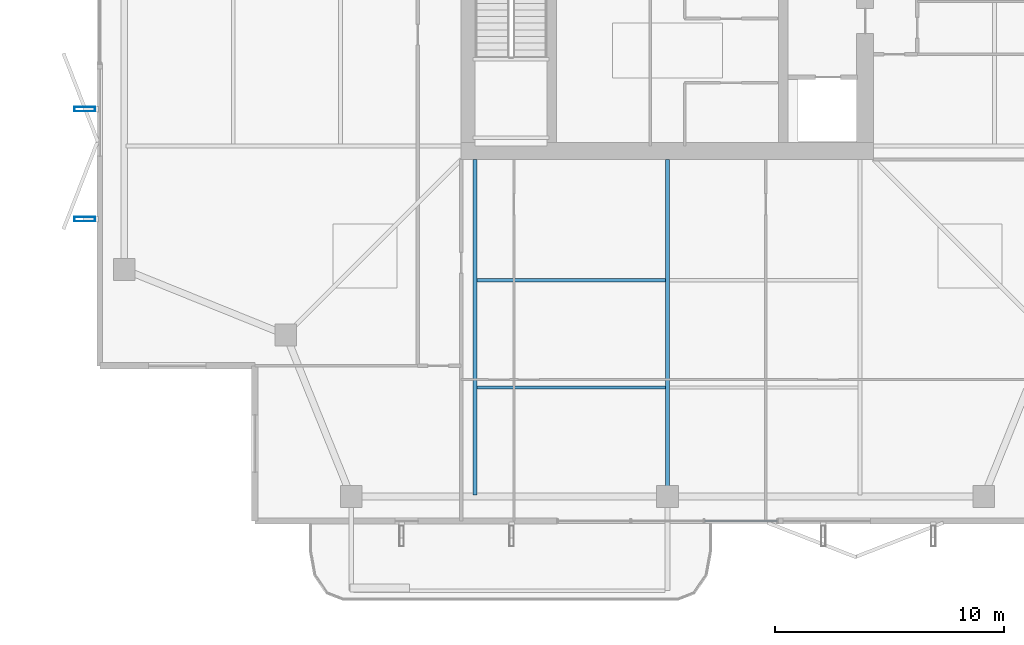
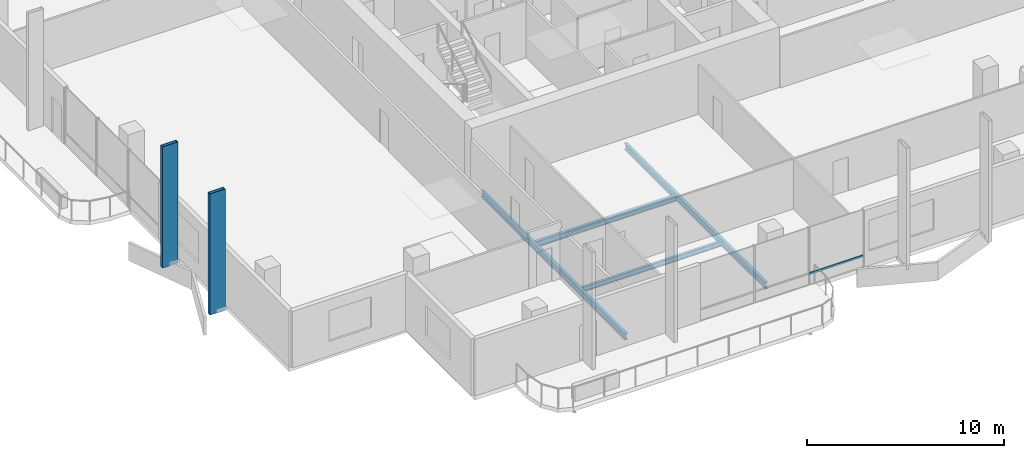
# One storey, part 3 of 25: 4 beams, 3 members, 1 element without a shape of its own.
"""IFC4 building model written with IfcOpenShell, lengths in metres."""

from ifc_helpers import new_model, si_unit, direction, frame, origin, origin_2d, place, context, subcontext, project, spatial, hollow_rectangle, i_section, extrude, material, layer, layer_set, material_profile, profile_set, type_object, element, aggregate, save


model = new_model("IFC4")

# Units and contexts
model_context = context("Model", 3, precision=1e-05, world=origin(), true_north=direction((0.0, 1.0)))
body_context = subcontext(model_context, "Body", "Model", "MODEL_VIEW")
ifc_project = project(units=[si_unit("LENGTHUNIT", "METRE"), si_unit("AREAUNIT", "SQUARE_METRE"), si_unit("VOLUMEUNIT", "CUBIC_METRE"), si_unit("PLANEANGLEUNIT", "RADIAN"), si_unit("MASSUNIT", "GRAM", prefix="KILO")], contexts=[model_context])

# Site, building, storey
site_placement = place(None, origin())
site = spatial("IfcSite", under=ifc_project, at=site_placement, CompositionType="ELEMENT")
building_placement = place(site_placement, origin())
building = spatial("IfcBuilding", under=site, at=building_placement, Name="Belovzor Exchange Tower", CompositionType="ELEMENT")
storey_placement = place(building_placement, frame((0.0, 0.0, 265.35009765625)))
storey = spatial("IfcBuildingStorey", under=building, at=storey_placement, Name="L66", CompositionType="ELEMENT", Elevation=265.35009765625)

# Beams
ifc_material_1 = material(Name="Steel S355", Category="steel")
ifc_material_profile_1 = material_profile(ifc_material_1, i_section(OverallWidth=0.169921875, OverallDepth=0.360107421875, WebThickness=0.008056640625, FlangeThickness=0.0126953125, at=origin_2d()))
ifc_profile_set_1 = profile_set([ifc_material_profile_1], Name="Steel S355")
beam_type_1 = type_object("IfcBeamType", Name="Secondary Infill Floor Joist IPE 360", PredefinedType="BEAM", material=ifc_profile_set_1)
beam_1_placement = place(storey_placement, frame((20.489990234375, 14.534912109375, -0.43017578125), z_axis=(1.0, 0.0, 0.0), x_axis=(0.0, 1.0, 0.0)))
element("IfcBeam", 1, at=beam_1_placement, inside=storey, type_object=beam_type_1, Name="FJ-360 Secondary Infill Floor Joist IPE 360", PredefinedType="BEAM", context=body_context, shape_type="SweptSolid", body=[
    extrude(i_section(OverallWidth=0.169921875, OverallDepth=0.360107421875, WebThickness=0.008056640625, FlangeThickness=0.0126953125, at=origin_2d()), origin(), (0.0, 0.0, 1.0), 8.219970703125),
])
ifc_material_2 = material(Name="Steel S355", Category="steel")
ifc_material_profile_2 = material_profile(ifc_material_2, i_section(OverallWidth=0.14990234375, OverallDepth=0.300048828125, WebThickness=0.007080078125, FlangeThickness=0.0107421875, at=origin_2d()))
ifc_profile_set_2 = profile_set([ifc_material_profile_2], Name="Steel S355")
beam_type_2 = type_object("IfcBeamType", Name="Secondary Trim Floor Joist IPE 300", PredefinedType="BEAM", material=ifc_profile_set_2)
beam_2_placement = place(storey_placement, frame((20.489990234375, 9.85498046875, -0.400146484375), z_axis=(1.0, 0.0, 0.0), x_axis=(0.0, 1.0, 0.0)))
element("IfcBeam", 2, at=beam_2_placement, inside=storey, type_object=beam_type_2, Name="FJ-300 Secondary Trim Floor Joist IPE 300", PredefinedType="BEAM", context=body_context, shape_type="SweptSolid", body=[
    extrude(i_section(OverallWidth=0.14990234375, OverallDepth=0.300048828125, WebThickness=0.007080078125, FlangeThickness=0.0107421875, at=origin_2d()), origin(), (0.0, 0.0, 1.0), 8.219970703125),
])

# Members
ifc_material_3 = material(Name="Extruded Architectural Terracotta on Steel S355 Carrier", Category="masonry")
ifc_material_profile_3 = material_profile(ifc_material_3, hollow_rectangle(XDim=0.199951171875, YDim=0.89990234375, WallThickness=0.011962890625, at=origin_2d()))
ifc_profile_set_3 = profile_set([ifc_material_profile_3], Name="Extruded Architectural Terracotta on Steel S355 Carrier")
member_type_1 = type_object("IfcMemberType", Name="Sweeping Terracotta Baguette Fin Assembly 950", PredefinedType="USERDEFINED", material=ifc_profile_set_3)
for number, where, z_axis, x_axis, name in (
    (3, (3.375, 17.199951171875, -0.25), (0.0, 0.0, 1.0), (0.0, 1.0, 0.0), "FIN-TC095 Terracotta Facade Fin L66 W1"),
    (4, (3.375, 22.0, -0.25), (0.0, 0.0, 1.0), (0.0, 1.0, 0.0), "FIN-TC095 Terracotta Facade Fin L66 W2"),
):
    element("IfcMember", number, at=place(storey_placement, frame(where, z_axis=z_axis, x_axis=x_axis)), inside=storey, type_object=member_type_1, Name=name, ObjectType="FIN", PredefinedType="USERDEFINED", context=body_context, shape_type="SweptSolid", body=[
        extrude(hollow_rectangle(XDim=0.199951171875, YDim=0.89990234375, WallThickness=0.011962890625, at=origin_2d()), origin(), (0.0, 0.0, 1.0), 7.5),
    ])

# Curtain wall, member
ifc_material_4 = material(Name="Anodised Aluminium Framing", Category="aluminium")
ifc_layer = layer(ifc_material_4, 0.179931640625)
ifc_layer_set = layer_set([ifc_layer], Name="Anodised Aluminium Framing")
curtain_wall_type = type_object("IfcCurtainWallType", Name="Recessed Loggia Low-Iron Triple-Glazed Curtain Wall", PredefinedType="NOTDEFINED", material=ifc_layer_set)
curtain_wall_placement = place(storey_placement, origin())
curtain_wall = element("IfcCurtainWall", 5, at=curtain_wall_placement, inside=storey, type_object=curtain_wall_type, Name="CW3 Recessed Loggia Low-Iron Triple-Glazed Curtain Wall L66", PredefinedType="NOTDEFINED")
ifc_material_5 = material(Name="Steel S355", Category="steel")
ifc_material_profile_4 = material_profile(ifc_material_5, hollow_rectangle(XDim=0.06005859375, YDim=0.14990234375, WallThickness=0.00390625, at=origin_2d()))
ifc_profile_set_4 = profile_set([ifc_material_profile_4], Name="Steel S355")
member_type_2 = type_object("IfcMemberType", Name="Thermally Broken Curtain Wall Transom 150x60", PredefinedType="USERDEFINED", material=ifc_profile_set_4)
member_placement = place(storey_placement, frame((33.592041015625, 4.030029296875, 0.6298828125), z_axis=(-1.0, 0.0, 0.0), x_axis=(0.0, -1.0, 0.0)))
member = element("IfcMember", 6, at=member_placement, type_object=member_type_2, Name="CW-T150 Curtain Wall Transom 1", ObjectType="TRANSOM", PredefinedType="USERDEFINED", context=body_context, shape_type="SweptSolid", body=[
    extrude(hollow_rectangle(XDim=0.06005859375, YDim=0.14990234375, WallThickness=0.00390625, at=origin_2d()), origin(), (0.0, 0.0, 1.0), 3.18408203125),
])
aggregate(curtain_wall, [member])

# Beams
ifc_material_6 = material(Name="Steel S355", Category="steel")
ifc_material_profile_5 = material_profile(ifc_material_6, i_section(OverallWidth=0.179931640625, OverallDepth=0.39990234375, WebThickness=0.008544921875, FlangeThickness=0.013427734375, at=origin_2d()))
ifc_profile_set_5 = profile_set([ifc_material_profile_5], Name="Steel S355")
beam_type_3 = type_object("IfcBeamType", Name="Zone 5-6 Radial Composite Floor Beam IPE 400", PredefinedType="BEAM", material=ifc_profile_set_5)
beam_3_placement = place(storey_placement, frame((20.39990234375, 19.800048828125, -0.4501953125), z_axis=(0.0, -1.0, 0.0), x_axis=(1.0, 0.0, 0.0)))
element("IfcBeam", 7, at=beam_3_placement, inside=storey, type_object=beam_type_3, Name="FB-400 Zone 5-6 Radial Composite Floor Beam IPE 400", PredefinedType="BEAM", context=body_context, shape_type="SweptSolid", body=[
    extrude(i_section(OverallWidth=0.179931640625, OverallDepth=0.39990234375, WebThickness=0.008544921875, FlangeThickness=0.013427734375, at=origin_2d()), origin(), (0.0, 0.0, 1.0), 14.625),
])
beam_4_placement = place(storey_placement, frame((28.800048828125, 19.800048828125, -0.4501953125), z_axis=(0.0, -1.0, 0.0), x_axis=(1.0, 0.0, 0.0)))
element("IfcBeam", 8, at=beam_4_placement, inside=storey, type_object=beam_type_3, Name="FB-400 Zone 5-6 Radial Composite Floor Beam IPE 400", PredefinedType="BEAM", context=body_context, shape_type="SweptSolid", body=[
    extrude(i_section(OverallWidth=0.179931640625, OverallDepth=0.39990234375, WebThickness=0.008544921875, FlangeThickness=0.013427734375, at=origin_2d()), origin(), (0.0, 0.0, 1.0), 14.281982421875),
])

save(model, "model.ifc")
